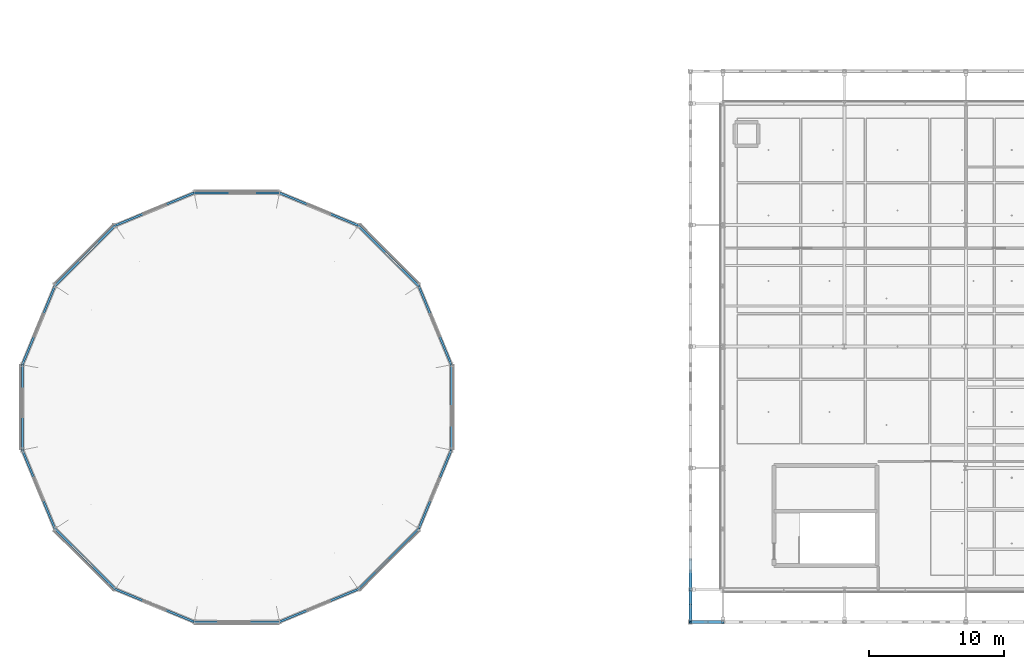
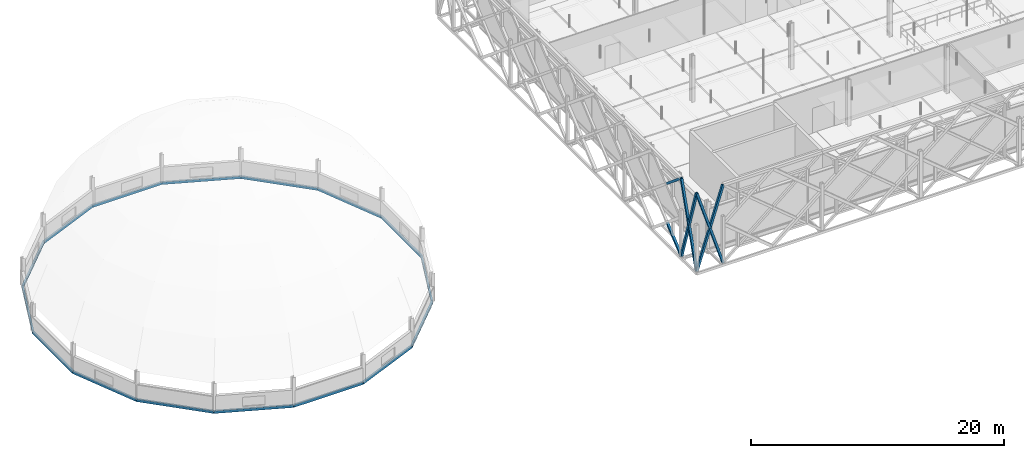
# One storey, part 11 of 66: 16 beams, 8 members.
"""IFC4 building model written with IfcOpenShell, lengths in metres."""

from ifc_helpers import new_model, si_unit, direction, frame, origin, origin_2d, place, context, subcontext, project, spatial, hollow_rectangle, extrude, material, material_profile, profile_set, type_object, element, save


model = new_model("IFC4")

# Units and contexts
model_context = context("Model", 3, precision=1e-05, world=origin(), true_north=direction((0.0, 1.0)))
body_context = subcontext(model_context, "Body", "Model", "MODEL_VIEW")
ifc_project = project(units=[si_unit("LENGTHUNIT", "METRE"), si_unit("AREAUNIT", "SQUARE_METRE"), si_unit("VOLUMEUNIT", "CUBIC_METRE"), si_unit("PLANEANGLEUNIT", "RADIAN"), si_unit("MASSUNIT", "GRAM", prefix="KILO"), si_unit("THERMODYNAMICTEMPERATUREUNIT", "KELVIN"), si_unit("POWERUNIT", "WATT")], contexts=[model_context])

# Site, building, storey
site_placement = place(None, origin())
site = spatial("IfcSite", under=ifc_project, at=site_placement, CompositionType="ELEMENT")
building_placement = place(site_placement, origin())
building = spatial("IfcBuilding", under=site, at=building_placement, Name="Tallowbark Science Centre", CompositionType="ELEMENT")
storey_placement = place(building_placement, frame((0.0, 0.0, 18.89990234375)))
storey = spatial("IfcBuildingStorey", under=building, at=storey_placement, Name="L04", CompositionType="ELEMENT", Elevation=18.89990234375)

# Members
ifc_material = material(Name="White Architectural Painted Steel Grade C350L0 (350 MPa)", Category="steel")
ifc_material_profile_1 = material_profile(ifc_material, hollow_rectangle(XDim=0.199951171875, YDim=0.199951171875, WallThickness=0.009033203125, at=origin_2d()), Name="200x200x9.0SHS")
ifc_profile_set_1 = profile_set([ifc_material_profile_1], Name="White Architectural Painted Steel Grade C350L0 (350 MPa)")
member_type = type_object("IfcMemberType", Name="SCR-STAR139", PredefinedType="BRACE", material=ifc_profile_set_1)
for number, where, z_axis, x_axis, name in (
    (1, (56.10009765625, 4.5, 0.0), (0.0, 0.768221279597, 0.640184399664), (-1.0, 0.0, 0.0), "Star Screen Continuous X-Diagonal D1A W-46"),
    (2, (56.10009765625, 4.5, 7.5), (0.0, 0.768221279597, -0.640184399664), (-1.0, 0.0, 0.0), "Star Screen Split X-Diagonal D2A W-46"),
):
    element("IfcMember", number, at=place(storey_placement, frame(where, z_axis=z_axis, x_axis=x_axis)), inside=storey, type_object=member_type, Name=name, PredefinedType="BRACE", context=body_context, shape_type="SweptSolid", body=[
        extrude(hollow_rectangle(XDim=0.199951171875, YDim=0.199951171875, WallThickness=0.009033203125, at=origin_2d()), origin(), (0.0, 0.0, 1.0), 2.928955078125),
    ])
member_1_placement = place(storey_placement, frame((56.10009765625, 2.10009765625, 0.0), z_axis=(0.304764477624, 0.0, 0.95242774696), x_axis=(0.0, 1.0, 0.0)))
element("IfcMember", 3, at=member_1_placement, inside=storey, type_object=member_type, Name="Star Screen Corner Continuous Diagonal SWX-L04", PredefinedType="BRACE", context=body_context, shape_type="SweptSolid", body=[
    extrude(hollow_rectangle(XDim=0.199951171875, YDim=0.199951171875, WallThickness=0.009033203125, at=origin_2d()), origin(), (0.0, 0.0, 1.0), 7.87451171875),
])
for number, where, z_axis, x_axis, name in (
    (4, (58.5, 2.10009765625, 0.0), (-0.304764477624, 0.0, 0.95242774696), (0.0, -1.0, 0.0), "Star Screen Corner Split Diagonal A SWX-L04"),
    (5, (57.300048828125, 2.10009765625, 3.75), (-0.304764477624, 0.0, 0.95242774696), (0.0, -1.0, 0.0), "Star Screen Corner Split Diagonal B SWX-L04"),
):
    element("IfcMember", number, at=place(storey_placement, frame(where, z_axis=z_axis, x_axis=x_axis)), inside=storey, type_object=member_type, Name=name, PredefinedType="BRACE", context=body_context, shape_type="SweptSolid", body=[
        extrude(hollow_rectangle(XDim=0.199951171875, YDim=0.199951171875, WallThickness=0.009033203125, at=origin_2d()), origin(), (0.0, 0.0, 1.0), 3.937255859375),
    ])
member_2_placement = place(storey_placement, frame((56.10009765625, 2.10009765625, 0.0), z_axis=(0.0, 0.304764477624, 0.95242774696), x_axis=(-1.0, 0.0, 0.0)))
element("IfcMember", 6, at=member_2_placement, inside=storey, type_object=member_type, Name="Star Screen Corner Continuous Diagonal SWY-L04", PredefinedType="BRACE", context=body_context, shape_type="SweptSolid", body=[
    extrude(hollow_rectangle(XDim=0.199951171875, YDim=0.199951171875, WallThickness=0.009033203125, at=origin_2d()), origin(), (0.0, 0.0, 1.0), 7.87451171875),
])
for number, where, z_axis, x_axis, name in (
    (7, (56.10009765625, 4.5, 0.0), (0.0, -0.304764477624, 0.95242774696), (1.0, 0.0, 0.0), "Star Screen Corner Split Diagonal A SWY-L04"),
    (8, (56.10009765625, 3.300048828125, 3.75), (0.0, -0.304764477624, 0.95242774696), (1.0, 0.0, 0.0), "Star Screen Corner Split Diagonal B SWY-L04"),
):
    element("IfcMember", number, at=place(storey_placement, frame(where, z_axis=z_axis, x_axis=x_axis)), inside=storey, type_object=member_type, Name=name, PredefinedType="BRACE", context=body_context, shape_type="SweptSolid", body=[
        extrude(hollow_rectangle(XDim=0.199951171875, YDim=0.199951171875, WallThickness=0.009033203125, at=origin_2d()), origin(), (0.0, 0.0, 1.0), 3.937255859375),
    ])

# Beams
ifc_material_profile_2 = material_profile(ifc_material, hollow_rectangle(XDim=0.14990234375, YDim=0.25, WallThickness=0.009033203125, at=origin_2d()), Name="250x150x9.0RHS")
ifc_profile_set_2 = profile_set([ifc_material_profile_2], Name="White Architectural Painted Steel Grade C350L0 (350 MPa)")
beam_type = type_object("IfcBeamType", Name="SPN-RHS250", PredefinedType="SPANDREL", material=ifc_profile_set_2)
beam_1_placement = place(storey_placement, frame((38.388671875, 21.160400390625, -0.125), z_axis=(-0.382683814393, 0.92387937427, 0.0), x_axis=(-0.92387937427, -0.382683814393, 0.0)))
element("IfcBeam", 9, at=beam_1_placement, inside=storey, type_object=beam_type, Name="Planetarium Ring Beam L04-1", PredefinedType="SPANDREL", context=body_context, shape_type="SweptSolid", body=[
    extrude(hollow_rectangle(XDim=0.14990234375, YDim=0.25, WallThickness=0.009033203125, at=origin_2d()), origin(), (0.0, 0.0, 1.0), 6.321044921875),
])
beam_2_placement = place(storey_placement, frame((35.9697265625, 27.000244140625, -0.125), z_axis=(-0.707106781187, 0.707106781187, 0.0), x_axis=(-0.707106781187, -0.707106781187, 0.0)))
element("IfcBeam", 10, at=beam_2_placement, inside=storey, type_object=beam_type, Name="Planetarium Ring Beam L04-2", PredefinedType="SPANDREL", context=body_context, shape_type="SweptSolid", body=[
    extrude(hollow_rectangle(XDim=0.14990234375, YDim=0.25, WallThickness=0.009033203125, at=origin_2d()), origin(), (0.0, 0.0, 1.0), 6.32080078125),
])
beam_3_placement = place(storey_placement, frame((31.500244140625, 31.4697265625, -0.125), z_axis=(-0.92387937427, 0.382683814393, 0.0), x_axis=(-0.382683814393, -0.92387937427, 0.0)))
element("IfcBeam", 11, at=beam_3_placement, inside=storey, type_object=beam_type, Name="Planetarium Ring Beam L04-3", PredefinedType="SPANDREL", context=body_context, shape_type="SweptSolid", body=[
    extrude(hollow_rectangle(XDim=0.14990234375, YDim=0.25, WallThickness=0.009033203125, at=origin_2d()), origin(), (0.0, 0.0, 1.0), 6.321044921875),
])
beam_4_placement = place(storey_placement, frame((25.660400390625, 33.888671875, -0.125), z_axis=(-1.0, 0.0, 0.0), x_axis=(0.0, -1.0, 0.0)))
element("IfcBeam", 12, at=beam_4_placement, inside=storey, type_object=beam_type, Name="Planetarium Ring Beam L04-4", PredefinedType="SPANDREL", context=body_context, shape_type="SweptSolid", body=[
    extrude(hollow_rectangle(XDim=0.14990234375, YDim=0.25, WallThickness=0.009033203125, at=origin_2d()), origin(), (0.0, 0.0, 1.0), 6.32080078125),
])
beam_5_placement = place(storey_placement, frame((19.339599609375, 33.888671875, -0.125), z_axis=(-0.92387937427, -0.382683814393, 0.0), x_axis=(0.382683814393, -0.92387937427, 0.0)))
element("IfcBeam", 13, at=beam_5_placement, inside=storey, type_object=beam_type, Name="Planetarium Ring Beam L04-5", PredefinedType="SPANDREL", context=body_context, shape_type="SweptSolid", body=[
    extrude(hollow_rectangle(XDim=0.14990234375, YDim=0.25, WallThickness=0.009033203125, at=origin_2d()), origin(), (0.0, 0.0, 1.0), 6.321044921875),
])
beam_6_placement = place(storey_placement, frame((13.499755859375, 31.4697265625, -0.125), z_axis=(-0.707106781187, -0.707106781187, 0.0), x_axis=(0.707106781187, -0.707106781187, 0.0)))
element("IfcBeam", 14, at=beam_6_placement, inside=storey, type_object=beam_type, Name="Planetarium Ring Beam L04-6", PredefinedType="SPANDREL", context=body_context, shape_type="SweptSolid", body=[
    extrude(hollow_rectangle(XDim=0.14990234375, YDim=0.25, WallThickness=0.009033203125, at=origin_2d()), origin(), (0.0, 0.0, 1.0), 6.32080078125),
])
beam_7_placement = place(storey_placement, frame((9.0302734375, 27.000244140625, -0.125), z_axis=(-0.382683814393, -0.92387937427, 0.0), x_axis=(0.92387937427, -0.382683814393, 0.0)))
element("IfcBeam", 15, at=beam_7_placement, inside=storey, type_object=beam_type, Name="Planetarium Ring Beam L04-7", PredefinedType="SPANDREL", context=body_context, shape_type="SweptSolid", body=[
    extrude(hollow_rectangle(XDim=0.14990234375, YDim=0.25, WallThickness=0.009033203125, at=origin_2d()), origin(), (0.0, 0.0, 1.0), 6.321044921875),
])
beam_8_placement = place(storey_placement, frame((6.611328125, 21.160400390625, -0.125), z_axis=(0.0, -1.0, 0.0), x_axis=(1.0, 0.0, 0.0)))
element("IfcBeam", 16, at=beam_8_placement, inside=storey, type_object=beam_type, Name="Planetarium Ring Beam L04-8", PredefinedType="SPANDREL", context=body_context, shape_type="SweptSolid", body=[
    extrude(hollow_rectangle(XDim=0.14990234375, YDim=0.25, WallThickness=0.009033203125, at=origin_2d()), origin(), (0.0, 0.0, 1.0), 6.32080078125),
])
beam_9_placement = place(storey_placement, frame((6.611328125, 14.839599609375, -0.125), z_axis=(0.382683814393, -0.92387937427, 0.0), x_axis=(0.92387937427, 0.382683814393, 0.0)))
element("IfcBeam", 17, at=beam_9_placement, inside=storey, type_object=beam_type, Name="Planetarium Ring Beam L04-9", PredefinedType="SPANDREL", context=body_context, shape_type="SweptSolid", body=[
    extrude(hollow_rectangle(XDim=0.14990234375, YDim=0.25, WallThickness=0.009033203125, at=origin_2d()), origin(), (0.0, 0.0, 1.0), 6.321044921875),
])
beam_10_placement = place(storey_placement, frame((9.0302734375, 8.999755859375, -0.125), z_axis=(0.707106781187, -0.707106781187, 0.0), x_axis=(0.707106781187, 0.707106781187, 0.0)))
element("IfcBeam", 18, at=beam_10_placement, inside=storey, type_object=beam_type, Name="Planetarium Ring Beam L04-10", PredefinedType="SPANDREL", context=body_context, shape_type="SweptSolid", body=[
    extrude(hollow_rectangle(XDim=0.14990234375, YDim=0.25, WallThickness=0.009033203125, at=origin_2d()), origin(), (0.0, 0.0, 1.0), 6.32080078125),
])
beam_11_placement = place(storey_placement, frame((13.499755859375, 4.5302734375, -0.125), z_axis=(0.92387937427, -0.382683814393, 0.0), x_axis=(0.382683814393, 0.92387937427, 0.0)))
element("IfcBeam", 19, at=beam_11_placement, inside=storey, type_object=beam_type, Name="Planetarium Ring Beam L04-11", PredefinedType="SPANDREL", context=body_context, shape_type="SweptSolid", body=[
    extrude(hollow_rectangle(XDim=0.14990234375, YDim=0.25, WallThickness=0.009033203125, at=origin_2d()), origin(), (0.0, 0.0, 1.0), 6.321044921875),
])
beam_12_placement = place(storey_placement, frame((19.339599609375, 2.111328125, -0.125), z_axis=(1.0, 0.0, 0.0), x_axis=(0.0, 1.0, 0.0)))
element("IfcBeam", 20, at=beam_12_placement, inside=storey, type_object=beam_type, Name="Planetarium Ring Beam L04-12", PredefinedType="SPANDREL", context=body_context, shape_type="SweptSolid", body=[
    extrude(hollow_rectangle(XDim=0.14990234375, YDim=0.25, WallThickness=0.009033203125, at=origin_2d()), origin(), (0.0, 0.0, 1.0), 6.32080078125),
])
beam_13_placement = place(storey_placement, frame((25.660400390625, 2.111328125, -0.125), z_axis=(0.92387937427, 0.382683814393, 0.0), x_axis=(-0.382683814393, 0.92387937427, 0.0)))
element("IfcBeam", 21, at=beam_13_placement, inside=storey, type_object=beam_type, Name="Planetarium Ring Beam L04-13", PredefinedType="SPANDREL", context=body_context, shape_type="SweptSolid", body=[
    extrude(hollow_rectangle(XDim=0.14990234375, YDim=0.25, WallThickness=0.009033203125, at=origin_2d()), origin(), (0.0, 0.0, 1.0), 6.321044921875),
])
beam_14_placement = place(storey_placement, frame((31.500244140625, 4.5302734375, -0.125), z_axis=(0.707106781187, 0.707106781187, 0.0), x_axis=(-0.707106781187, 0.707106781187, 0.0)))
element("IfcBeam", 22, at=beam_14_placement, inside=storey, type_object=beam_type, Name="Planetarium Ring Beam L04-14", PredefinedType="SPANDREL", context=body_context, shape_type="SweptSolid", body=[
    extrude(hollow_rectangle(XDim=0.14990234375, YDim=0.25, WallThickness=0.009033203125, at=origin_2d()), origin(), (0.0, 0.0, 1.0), 6.32080078125),
])
beam_15_placement = place(storey_placement, frame((35.9697265625, 8.999755859375, -0.125), z_axis=(0.382683814393, 0.92387937427, 0.0), x_axis=(-0.92387937427, 0.382683814393, 0.0)))
element("IfcBeam", 23, at=beam_15_placement, inside=storey, type_object=beam_type, Name="Planetarium Ring Beam L04-15", PredefinedType="SPANDREL", context=body_context, shape_type="SweptSolid", body=[
    extrude(hollow_rectangle(XDim=0.14990234375, YDim=0.25, WallThickness=0.009033203125, at=origin_2d()), origin(), (0.0, 0.0, 1.0), 6.321044921875),
])
beam_16_placement = place(storey_placement, frame((38.388671875, 14.839599609375, -0.125), z_axis=(0.0, 1.0, 0.0), x_axis=(-1.0, 0.0, 0.0)))
element("IfcBeam", 24, at=beam_16_placement, inside=storey, type_object=beam_type, Name="Planetarium Ring Beam L04-16", PredefinedType="SPANDREL", context=body_context, shape_type="SweptSolid", body=[
    extrude(hollow_rectangle(XDim=0.14990234375, YDim=0.25, WallThickness=0.009033203125, at=origin_2d()), origin(), (0.0, 0.0, 1.0), 6.32080078125),
])

save(model, "model.ifc")
